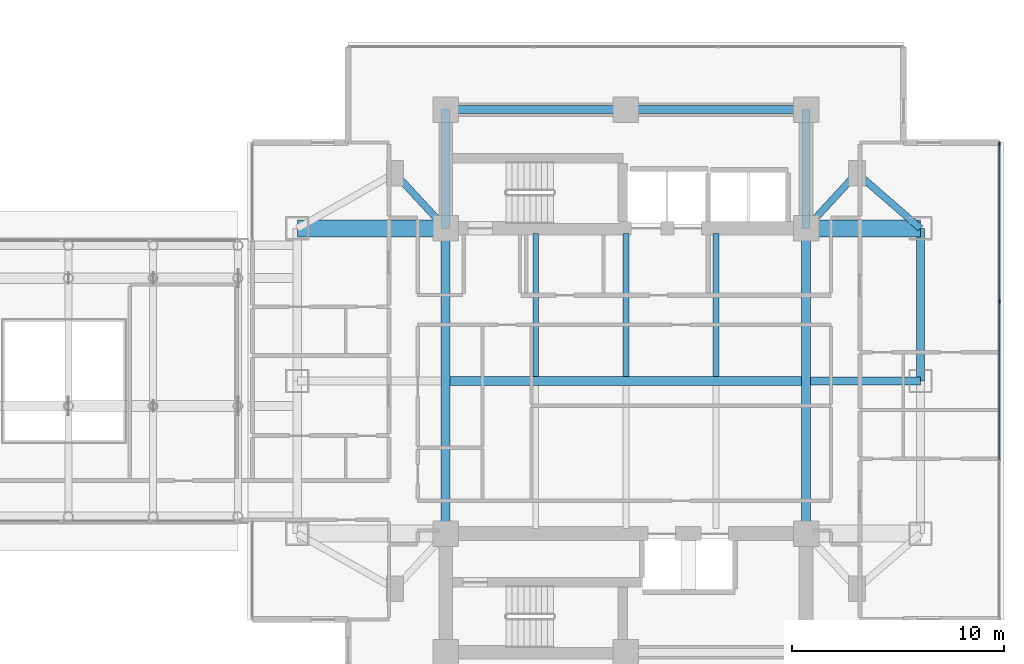
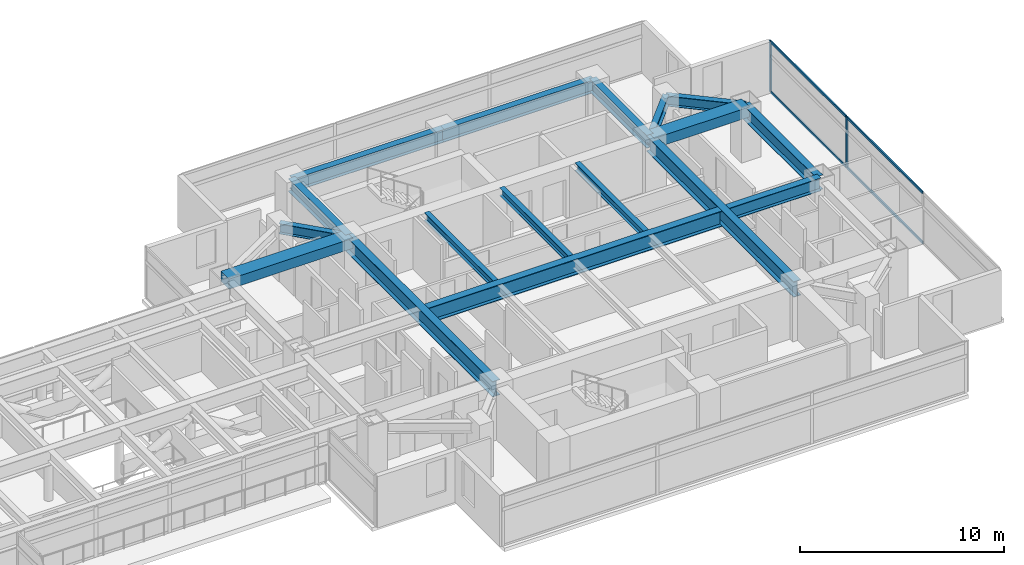
# One storey, part 10 of 27: 17 beams, 6 members, 1 element without a shape of its own.
"""IFC4 building model written with IfcOpenShell, lengths in metres."""

import ifcopenshell
import ifcopenshell.guid

model = None  # the IFC model being written
_history = None  # IfcOwnerHistory: only IFC2X3 demands one
_inside = {}  # id of a spatial element -> (the spatial element, [elements in it])
_under = {}  # id of a project, library or spatial element -> (it, [spatial elements below it])
_declared = {}  # id of a project -> (the project, [libraries it declares])
_typed = {}  # id of a type object -> (the type object, [elements of that type])
_made_of = {}  # id of a material, layer set ... -> (it, [elements and type objects made of it])


def new_model(schema):
    """Start an empty IFC model of exactly this schema.

    Asked for "IFC4X3", IfcOpenShell would pick the latest addendum, in which some entities
    have other attributes; the version numbers below select the first issue.
    IFC2X3 requires an IfcOwnerHistory on every rooted entity: one is made here for all.
    """
    global model, _history
    if schema == "IFC4X3":
        model = ifcopenshell.file(schema_version=(4, 3, 0, 0))
    else:
        model = ifcopenshell.file(schema=schema)
    _inside.clear()
    _under.clear()
    _declared.clear()
    _typed.clear()
    _made_of.clear()
    _history = None
    if model.schema == "IFC2X3":
        org = make("IfcOrganization", Name="unknown")
        user = make(
            "IfcPersonAndOrganization",
            ThePerson=make("IfcPerson", FamilyName="unknown"),
            TheOrganization=org,
        )
        app = make(
            "IfcApplication",
            ApplicationDeveloper=org,
            Version="unknown",
            ApplicationFullName="unknown",
            ApplicationIdentifier="unknown",
        )
        _history = make(
            "IfcOwnerHistory",
            OwningUser=user,
            OwningApplication=app,
            ChangeAction="ADDED",
            CreationDate=0,
        )
    return model


def make(cls, **values):
    """One entity of the class cls with the attributes given. An attribute that is None is left unset."""
    return model.create_entity(
        cls, **{name: value for name, value in values.items() if value is not None}
    )


def rooted(cls, **values):
    """An entity with a GlobalId (a new one), such as an element, a storey or a relation."""
    return make(cls, GlobalId=ifcopenshell.guid.new(), OwnerHistory=_history, **values)


def si_unit(unit_type, name, prefix=None):
    """IfcSIUnit, for example si_unit("LENGTHUNIT", "METRE", prefix="MILLI")."""
    return make("IfcSIUnit", UnitType=unit_type, Prefix=prefix, Name=name)


def assignment(units):
    """IfcUnitAssignment: the units of a project."""
    return None if units is None else make("IfcUnitAssignment", Units=units)


def point(xyz):
    """IfcCartesianPoint."""
    return None if xyz is None else make("IfcCartesianPoint", Coordinates=xyz)


def direction(xyz):
    """IfcDirection."""
    return None if xyz is None else make("IfcDirection", DirectionRatios=xyz)


def frame(location, z_axis=None, x_axis=None):
    """IfcAxis2Placement3D, a coordinate frame: its origin and axes. An axis left out is left unset."""
    return make(
        "IfcAxis2Placement3D",
        Location=point(location),
        Axis=direction(z_axis),
        RefDirection=direction(x_axis),
    )


def frame_2d(location, x_axis=None):
    """IfcAxis2Placement2D, a coordinate frame in the plane: its origin and x axis."""
    return make(
        "IfcAxis2Placement2D", Location=point(location), RefDirection=direction(x_axis)
    )


def origin():
    """The frame at (0, 0, 0) with its axes left unset."""
    return frame((0.0, 0.0, 0.0))


def origin_2d():
    """The frame at (0, 0) in the plane with its x axis left unset."""
    return frame_2d((0.0, 0.0))


def place(relative_to, where):
    """IfcLocalPlacement: puts the frame where relative to a parent placement (None: the world)."""
    return make(
        "IfcLocalPlacement", PlacementRelTo=relative_to, RelativePlacement=where
    )


def context(
    kind, dimensions, precision=None, world=None, true_north=None, identifier=None
):
    """IfcGeometricRepresentationContext, for example the 3D "Model" context."""
    return make(
        "IfcGeometricRepresentationContext",
        ContextIdentifier=identifier,
        ContextType=kind,
        CoordinateSpaceDimension=dimensions,
        Precision=precision,
        WorldCoordinateSystem=world,
        TrueNorth=true_north,
    )


def subcontext(parent, identifier, kind, view, scale=None):
    """IfcGeometricRepresentationSubContext, for example "Body" below "Model"."""
    return make(
        "IfcGeometricRepresentationSubContext",
        ContextIdentifier=identifier,
        ContextType=kind,
        ParentContext=parent,
        TargetScale=scale,
        TargetView=view,
    )


def project(units=None, contexts=None):
    """IfcProject with its units and contexts."""
    return rooted(
        "IfcProject",
        Name="project",
        RepresentationContexts=contexts,
        UnitsInContext=assignment(units),
    )


def spatial(cls, under=None, at=None, **own):
    """A site, building, storey or space (cls), placed at a placement, below another one or the project."""
    s = rooted(cls, ObjectPlacement=at, **own)
    if under is not None:
        _under.setdefault(under.id(), (under, []))[1].append(s)
    return s


def profile(cls, at=None, kind="AREA", **sizes):
    """A parametric profile (cls). Its sizes go by their IFC names, for example OverallWidth=200.0."""
    return make(cls, ProfileType=kind, Position=at, **sizes)


def rectangle(**sizes):
    """IfcRectangleProfileDef."""
    return profile("IfcRectangleProfileDef", **sizes)


def i_section(**sizes):
    """IfcIShapeProfileDef."""
    return profile("IfcIShapeProfileDef", **sizes)


def extrude(swept, where, along, depth):
    """IfcExtrudedAreaSolid: the profile swept, set in the frame where, extruded along a direction by depth."""
    return make(
        "IfcExtrudedAreaSolid",
        SweptArea=swept,
        Position=where,
        ExtrudedDirection=direction(along),
        Depth=depth,
    )


def shape(context_of_items, identifier, shape_type, items):
    """IfcShapeRepresentation: the items that make up one representation, for example the "Body"."""
    return make(
        "IfcShapeRepresentation",
        ContextOfItems=context_of_items,
        RepresentationIdentifier=identifier,
        RepresentationType=shape_type,
        Items=items,
    )


def material(Name=None, Category=None):
    """IfcMaterial."""
    return make("IfcMaterial", Name=Name, Category=Category)


def material_profile(
    of_material, cross_section, Name=None, Category=None, Priority=None
):
    """IfcMaterialProfile: a cross section and its material."""
    return make(
        "IfcMaterialProfile",
        Name=Name,
        Material=of_material,
        Profile=cross_section,
        Priority=Priority,
        Category=Category,
    )


def profile_set(profiles, Name=None, composite=None):
    """IfcMaterialProfileSet."""
    return make(
        "IfcMaterialProfileSet",
        Name=Name,
        MaterialProfiles=profiles,
        CompositeProfile=composite,
    )


def made_of(thing, what):
    """Note that an element or type object is made of a material, layer set ...; save() writes the relation."""
    if what is not None:
        _made_of.setdefault(what.id(), (what, []))[1].append(thing)
    return thing


def type_object(cls, material=None, **own):
    """A type object (cls), such as IfcWallType, which elements share."""
    return made_of(rooted(cls, **own), material)


def element(
    cls,
    number,
    at=None,
    inside=None,
    cuts=None,
    type_object=None,
    material=None,
    context=None,
    identifier="Body",
    shape_type=None,
    held_by="IfcProductDefinitionShape",
    body=None,
    shapes=None,
    **own,
):
    """One element of the class cls, such as IfcWall. Its Tag is "e" and its number.

    at: its placement. inside: the storey or other place that contains it. cuts: it is an
    opening in that element (IfcRelVoidsElement). A single representation is given by context,
    identifier, shape_type and body (its items); several are given by shapes. held_by: the class
    of the entity that holds the representations. save() writes the other relations.
    """
    e = rooted(cls, Tag="e%d" % number, ObjectPlacement=at, **own)
    if body is not None:
        shapes = [shape(context, identifier, shape_type, body)]
    if shapes is not None:
        e.Representation = make(held_by, Representations=shapes)
    if inside is not None:
        _inside.setdefault(inside.id(), (inside, []))[1].append(e)
    if cuts is not None:
        rooted(
            "IfcRelVoidsElement", RelatingBuildingElement=cuts, RelatedOpeningElement=e
        )
    if type_object is not None:
        _typed.setdefault(type_object.id(), (type_object, []))[1].append(e)
    return made_of(e, material)


def aggregate(whole, parts):
    """IfcRelAggregates: a whole, such as a stair, and the parts it consists of."""
    return rooted("IfcRelAggregates", RelatingObject=whole, RelatedObjects=parts)


def save(model, path):
    """Write the relations noted so far, then the file.

    IfcRelAggregates (storeys below a building ...), IfcRelContainedInSpatialStructure (elements
    in a storey), IfcRelDefinesByType, IfcRelAssociatesMaterial and IfcRelDeclares: one each for
    every whole, place, type object, material and project.
    """
    for whole, parts in _under.values():
        aggregate(whole, parts)
    for where, things in _inside.values():
        rooted(
            "IfcRelContainedInSpatialStructure",
            RelatedElements=things,
            RelatingStructure=where,
        )
    for kind, things in _typed.values():
        rooted("IfcRelDefinesByType", RelatedObjects=things, RelatingType=kind)
    for what, things in _made_of.values():
        rooted("IfcRelAssociatesMaterial", RelatedObjects=things, RelatingMaterial=what)
    for by, libraries in _declared.values():
        rooted("IfcRelDeclares", RelatingContext=by, RelatedDefinitions=libraries)
    model.write(path)


model = new_model("IFC4")

# Units and contexts
model_context = context("Model", 3, precision=1e-05, world=origin(), true_north=direction((0.0, 1.0)))
body_context = subcontext(model_context, "Body", "Model", "MODEL_VIEW")
ifc_project = project(units=[si_unit("LENGTHUNIT", "METRE"), si_unit("AREAUNIT", "SQUARE_METRE"), si_unit("VOLUMEUNIT", "CUBIC_METRE"), si_unit("PLANEANGLEUNIT", "RADIAN"), si_unit("MASSUNIT", "GRAM", prefix="KILO")], contexts=[model_context])

# Site, building, storey
site_placement = place(None, origin())
site = spatial("IfcSite", under=ifc_project, at=site_placement, CompositionType="ELEMENT")
building_placement = place(site_placement, origin())
building = spatial("IfcBuilding", under=site, at=building_placement, Name="Mirazonda Arch Towers", CompositionType="ELEMENT")
storey_placement = place(building_placement, frame((0.0, 0.0, 95.0)))
storey = spatial("IfcBuildingStorey", under=building, at=storey_placement, Name="L26", CompositionType="ELEMENT", Elevation=95.0)

# Beams
ifc_material_1 = material(Name="Steel ASTM A992 Grade 50", Category="steel")
ifc_material_profile_1 = material_profile(ifc_material_1, i_section(OverallWidth=0.39990234375, OverallDepth=0.85595703125, WebThickness=0.018310546875, FlangeThickness=0.029296875, at=origin_2d()), Name="W33X201")
ifc_profile_set_1 = profile_set([ifc_material_profile_1], Name="Steel ASTM A992 Grade 50")
beam_type_1 = type_object("IfcBeamType", Name="BM-EXT-W33X201", PredefinedType="USERDEFINED", material=ifc_profile_set_1)
beam_1_placement = place(storey_placement, frame((90.39990234375, 28.0, 2.652099609375), z_axis=(0.0, 1.0, 0.0), x_axis=(-1.0, 0.0, 0.0)))
element("IfcBeam", 1, at=beam_1_placement, inside=storey, type_object=beam_type_1, Name="L26 Floor Beam BM-T2-L26-NS-E-28", ObjectType="GIRDER", PredefinedType="USERDEFINED", context=body_context, shape_type="SweptSolid", body=[
    extrude(i_section(OverallWidth=0.39990234375, OverallDepth=0.85595703125, WebThickness=0.018310546875, FlangeThickness=0.029296875, at=origin_2d()), origin(), (0.0, 0.0, 1.0), 7.199951171875),
])
ifc_material_profile_2 = material_profile(ifc_material_1, i_section(OverallWidth=0.280029296875, OverallDepth=0.462890625, WebThickness=0.0107421875, FlangeThickness=0.017333984375, at=origin_2d()), Name="W18X76")
ifc_profile_set_2 = profile_set([ifc_material_profile_2], Name="Steel ASTM A992 Grade 50")
beam_type_2 = type_object("IfcBeamType", Name="BM-INT-W18X76", PredefinedType="JOIST", material=ifc_profile_set_2)
for number, where, z_axis, x_axis, name in (
    (2, (72.25, 28.205078125, 2.848388671875), (0.0, 1.0, 0.0), (-1.0, 0.0, 0.0), "L26 Floor Beam BM-T2-L26-J-722-28"),
    (3, (76.5, 28.205078125, 2.848388671875), (0.0, 1.0, 0.0), (-1.0, 0.0, 0.0), "L26 Floor Beam BM-T2-L26-J-765-28"),
    (4, (80.75, 28.205078125, 2.848388671875), (0.0, 1.0, 0.0), (-1.0, 0.0, 0.0), "L26 Floor Beam BM-T2-L26-J-807-28"),
):
    element("IfcBeam", number, at=place(storey_placement, frame(where, z_axis=z_axis, x_axis=x_axis)), inside=storey, type_object=beam_type_2, Name=name, PredefinedType="JOIST", context=body_context, shape_type="SweptSolid", body=[
        extrude(i_section(OverallWidth=0.280029296875, OverallDepth=0.462890625, WebThickness=0.0107421875, FlangeThickness=0.017333984375, at=origin_2d()), origin(), (0.0, 0.0, 1.0), 6.7548828125),
    ])
ifc_material_profile_3 = material_profile(ifc_material_1, i_section(OverallWidth=0.324951171875, OverallDepth=0.615966796875, WebThickness=0.013916015625, FlangeThickness=0.021484375, at=origin_2d()), Name="W24X117")
ifc_profile_set_3 = profile_set([ifc_material_profile_3], Name="Steel ASTM A992 Grade 50")
beam_type_3 = type_object("IfcBeamType", Name="BM-INT-W24X117", PredefinedType="BEAM", material=ifc_profile_set_3)
for number, where, z_axis, x_axis, name in (
    (5, (65.60009765625, 37.800048828125, 2.77197265625), (0.678251444854, -0.734829897019, 0.0), (0.734829897019, 0.678251444854, 0.0), "L26 Floor Beam BM-T2-L26-PL-NW1"),
    (6, (87.39990234375, 37.800048828125, 2.77197265625), (-0.678251444854, -0.734829897019, 0.0), (0.734829897019, -0.678251444854, 0.0), "L26 Floor Beam BM-T2-L26-PL-NE1"),
):
    element("IfcBeam", number, at=place(storey_placement, frame(where, z_axis=z_axis, x_axis=x_axis)), inside=storey, type_object=beam_type_3, Name=name, PredefinedType="BEAM", context=body_context, shape_type="SweptSolid", body=[
        extrude(i_section(OverallWidth=0.324951171875, OverallDepth=0.615966796875, WebThickness=0.013916015625, FlangeThickness=0.021484375, at=origin_2d()), origin(), (0.0, 0.0, 1.0), 3.538330078125),
    ])
beam_2_placement = place(storey_placement, frame((87.39990234375, 37.800048828125, 2.77197265625), z_axis=(0.755676908098, -0.654944585876, 0.0), x_axis=(0.654944585876, 0.755676908098, 0.0)))
element("IfcBeam", 7, at=beam_2_placement, inside=storey, type_object=beam_type_3, Name="L26 Floor Beam BM-T2-L26-PL-NE2", PredefinedType="BEAM", context=body_context, shape_type="SweptSolid", body=[
    extrude(i_section(OverallWidth=0.324951171875, OverallDepth=0.615966796875, WebThickness=0.013916015625, FlangeThickness=0.021484375, at=origin_2d()), origin(), (0.0, 0.0, 1.0), 3.969970703125),
])
ifc_material_profile_4 = material_profile(ifc_material_1, i_section(OverallWidth=0.381103515625, OverallDepth=0.77294921875, WebThickness=0.0166015625, FlangeThickness=0.027099609375, at=origin_2d()), Name="W30X173")
ifc_profile_set_4 = profile_set([ifc_material_profile_4], Name="Steel ASTM A992 Grade 50")
beam_type_4 = type_object("IfcBeamType", Name="BM-INT-W30X173", PredefinedType="USERDEFINED", material=ifc_profile_set_4)
for number, where, z_axis, x_axis, name in (
    (8, (68.0, 40.800048828125, 2.693603515625), (1.0, 0.0, 0.0), (0.0, 1.0, 0.0), "L26 Floor Beam BM-T2-L26-CN1"),
    (9, (76.5, 40.800048828125, 2.693603515625), (1.0, 0.0, 0.0), (0.0, 1.0, 0.0), "L26 Floor Beam BM-T2-L26-CN2"),
):
    element("IfcBeam", number, at=place(storey_placement, frame(where, z_axis=z_axis, x_axis=x_axis)), inside=storey, type_object=beam_type_4, Name=name, ObjectType="GIRDER", PredefinedType="USERDEFINED", context=body_context, shape_type="SweptSolid", body=[
        extrude(i_section(OverallWidth=0.381103515625, OverallDepth=0.77294921875, WebThickness=0.0166015625, FlangeThickness=0.027099609375, at=origin_2d()), origin(), (0.0, 0.0, 1.0), 8.5),
    ])
for number, where, z_axis, x_axis, name in (
    (10, (68.0, 35.199951171875, 2.693603515625), (0.0, 1.0, 0.0), (-1.0, 0.0, 0.0), "L26 Floor Beam BM-T2-L26-CNW"),
    (11, (85.0, 35.199951171875, 2.693603515625), (0.0, 1.0, 0.0), (-1.0, 0.0, 0.0), "L26 Floor Beam BM-T2-L26-CNE"),
):
    element("IfcBeam", number, at=place(storey_placement, frame(where, z_axis=z_axis, x_axis=x_axis)), inside=storey, type_object=beam_type_4, Name=name, ObjectType="GIRDER", PredefinedType="USERDEFINED", context=body_context, shape_type="SweptSolid", body=[
        extrude(i_section(OverallWidth=0.381103515625, OverallDepth=0.77294921875, WebThickness=0.0166015625, FlangeThickness=0.027099609375, at=origin_2d()), origin(), (0.0, 0.0, 1.0), 5.60009765625),
    ])
beam_3_placement = place(storey_placement, frame((85.208984375, 28.0, 2.693603515625), z_axis=(1.0, 0.0, 0.0), x_axis=(0.0, 1.0, 0.0)))
element("IfcBeam", 12, at=beam_3_placement, inside=storey, type_object=beam_type_4, Name="L26 Floor Beam BM-T2-L26-GE2", ObjectType="GIRDER", PredefinedType="USERDEFINED", context=body_context, shape_type="SweptSolid", body=[
    extrude(i_section(OverallWidth=0.381103515625, OverallDepth=0.77294921875, WebThickness=0.0166015625, FlangeThickness=0.027099609375, at=origin_2d()), origin(), (0.0, 0.0, 1.0), 5.19091796875),
])
ifc_material_profile_5 = material_profile(ifc_material_1, i_section(OverallWidth=0.41796875, OverallDepth=0.927001953125, WebThickness=0.019287109375, FlangeThickness=0.031982421875, at=origin_2d()), Name="W36X231")
ifc_profile_set_5 = profile_set([ifc_material_profile_5], Name="Steel ASTM A992 Grade 50")
beam_type_5 = type_object("IfcBeamType", Name="BM-INT-W36X231", PredefinedType="USERDEFINED", material=ifc_profile_set_5)
beam_4_placement = place(storey_placement, frame((68.208984375, 28.0, 2.616455078125), z_axis=(1.0, 0.0, 0.0), x_axis=(0.0, 1.0, 0.0)))
element("IfcBeam", 13, at=beam_4_placement, inside=storey, type_object=beam_type_5, Name="L26 Floor Beam BM-T2-L26-GC2", ObjectType="GIRDER", PredefinedType="USERDEFINED", context=body_context, shape_type="SweptSolid", body=[
    extrude(i_section(OverallWidth=0.41796875, OverallDepth=0.927001953125, WebThickness=0.019287109375, FlangeThickness=0.031982421875, at=origin_2d()), origin(), (0.0, 0.0, 1.0), 16.58203125),
])
for number, where, z_axis, x_axis, name in (
    (14, (68.0, 20.800048828125, 2.616455078125), (0.0, 1.0, 0.0), (-1.0, 0.0, 0.0), "L26 Floor Beam BM-T2-L26-NS-CW-FULL"),
    (15, (85.0, 20.800048828125, 2.616455078125), (0.0, 1.0, 0.0), (-1.0, 0.0, 0.0), "L26 Floor Beam BM-T2-L26-NS-CE-FULL"),
):
    element("IfcBeam", number, at=place(storey_placement, frame(where, z_axis=z_axis, x_axis=x_axis)), inside=storey, type_object=beam_type_5, Name=name, ObjectType="GIRDER", PredefinedType="USERDEFINED", context=body_context, shape_type="SweptSolid", body=[
        extrude(i_section(OverallWidth=0.41796875, OverallDepth=0.927001953125, WebThickness=0.019287109375, FlangeThickness=0.031982421875, at=origin_2d()), origin(), (0.0, 0.0, 1.0), 14.39990234375),
    ])
ifc_material_2 = material(Name="Concrete C60/75", Category="concrete")
ifc_material_profile_6 = material_profile(ifc_material_2, rectangle(XDim=0.800048828125, YDim=0.60009765625, at=origin_2d()), Name="RCCB800x600")
ifc_profile_set_6 = profile_set([ifc_material_profile_6], Name="Concrete C60/75")
beam_type_6 = type_object("IfcBeamType", Name="CB-INT-RCCB800x600", PredefinedType="SPANDREL", material=ifc_profile_set_6)
beam_5_placement = place(storey_placement, frame((61.0, 35.199951171875, 2.780029296875), z_axis=(1.0, 0.0, 0.0), x_axis=(0.0, 1.0, 0.0)))
element("IfcBeam", 16, at=beam_5_placement, inside=storey, type_object=beam_type_6, Name="L26 Floor Beam CBC-T2-L26-NW", PredefinedType="SPANDREL", context=body_context, shape_type="SweptSolid", body=[
    extrude(rectangle(XDim=0.800048828125, YDim=0.60009765625, at=origin_2d()), origin(), (0.0, 0.0, 1.0), 7.0),
])
beam_6_placement = place(storey_placement, frame((85.0, 35.199951171875, 2.780029296875), z_axis=(1.0, 0.0, 0.0), x_axis=(0.0, 1.0, 0.0)))
element("IfcBeam", 17, at=beam_6_placement, inside=storey, type_object=beam_type_6, Name="L26 Floor Beam CBC-T2-L26-NE", PredefinedType="SPANDREL", context=body_context, shape_type="SweptSolid", body=[
    extrude(rectangle(XDim=0.800048828125, YDim=0.60009765625, at=origin_2d()), origin(), (0.0, 0.0, 1.0), 5.39990234375),
])

# Curtain wall, members
ifc_material_3 = material(Name="Anodised Aluminium and Low-E Glass", Category="aluminium")
curtain_wall_type = type_object("IfcCurtainWallType", Name="CW-HTL-UNIT", PredefinedType="NOTDEFINED", material=ifc_material_3)
curtain_wall_placement = place(storey_placement, origin())
curtain_wall = element("IfcCurtainWall", 18, at=curtain_wall_placement, inside=storey, type_object=curtain_wall_type, Name="L26 T2 E Facade CW-L26-T2-E", PredefinedType="NOTDEFINED")
ifc_material_4 = material(Name="Anodised Aluminium Alloy", Category="aluminium")
ifc_material_profile_7 = material_profile(ifc_material_4, rectangle(XDim=0.074951171875, YDim=0.1650390625, at=origin_2d()), Name="ALU-MULL-75x165")
ifc_profile_set_7 = profile_set([ifc_material_profile_7], Name="Anodised Aluminium Alloy")
member_type_1 = type_object("IfcMemberType", Name="MULL-CW-HTL-UNIT", PredefinedType="MULLION", material=ifc_profile_set_7)
member_1_placement = place(storey_placement, frame((94.118408203125, 31.749267578125, 0.0), z_axis=(0.0, 0.0, 1.0), x_axis=(-1.0, 0.0, 0.0)))
member_1 = element("IfcMember", 19, at=member_1_placement, type_object=member_type_1, Name="CW-112 mullion 3", PredefinedType="MULLION", context=body_context, shape_type="SweptSolid", body=[
    extrude(rectangle(XDim=0.074951171875, YDim=0.1650390625, at=origin_2d()), origin(), (0.0, 0.0, 1.0), 3.06005859375),
])
member_2_placement = place(storey_placement, frame((94.118408203125, 39.210205078125, 0.0), z_axis=(0.0, 0.0, 1.0), x_axis=(-1.0, 0.0, 0.0)))
member_2 = element("IfcMember", 20, at=member_2_placement, type_object=member_type_1, Name="CW-112 mullion 4", PredefinedType="MULLION", context=body_context, shape_type="SweptSolid", body=[
    extrude(rectangle(XDim=0.074951171875, YDim=0.1650390625, at=origin_2d()), origin(), (0.0, 0.0, 1.0), 3.06005859375),
])
ifc_material_profile_8 = material_profile(ifc_material_4, rectangle(XDim=0.074951171875, YDim=0.14501953125, at=origin_2d()), Name="ALU-TRAN-75x145")
ifc_profile_set_8 = profile_set([ifc_material_profile_8], Name="Anodised Aluminium Alloy")
member_type_2 = type_object("IfcMemberType", Name="TRAN-CW-HTL-UNIT", PredefinedType="USERDEFINED", material=ifc_profile_set_8)
member_3_placement = place(storey_placement, frame((94.118408203125, 24.288330078125, 0.03759765625), z_axis=(0.0, 1.0, 0.0), x_axis=(-1.0, 0.0, 0.0)))
member_3 = element("IfcMember", 21, at=member_3_placement, type_object=member_type_2, Name="CW-112 transom 2.1", ObjectType="TRANSOM", PredefinedType="USERDEFINED", context=body_context, shape_type="SweptSolid", body=[
    extrude(rectangle(XDim=0.074951171875, YDim=0.14501953125, at=origin_2d()), origin(), (0.0, 0.0, 1.0), 7.42333984375),
])
member_4_placement = place(storey_placement, frame((94.118408203125, 24.288330078125, 3.0224609375), z_axis=(0.0, 1.0, 0.0), x_axis=(-1.0, 0.0, 0.0)))
member_4 = element("IfcMember", 22, at=member_4_placement, type_object=member_type_2, Name="CW-112 transom 2.2", ObjectType="TRANSOM", PredefinedType="USERDEFINED", context=body_context, shape_type="SweptSolid", body=[
    extrude(rectangle(XDim=0.074951171875, YDim=0.14501953125, at=origin_2d()), origin(), (0.0, 0.0, 1.0), 7.42333984375),
])
member_5_placement = place(storey_placement, frame((94.118408203125, 31.786865234375, 0.03759765625), z_axis=(0.0, 1.0, 0.0), x_axis=(-1.0, 0.0, 0.0)))
member_5 = element("IfcMember", 23, at=member_5_placement, type_object=member_type_2, Name="CW-112 transom 3.1", ObjectType="TRANSOM", PredefinedType="USERDEFINED", context=body_context, shape_type="SweptSolid", body=[
    extrude(rectangle(XDim=0.074951171875, YDim=0.14501953125, at=origin_2d()), origin(), (0.0, 0.0, 1.0), 7.385986328125),
])
member_6_placement = place(storey_placement, frame((94.118408203125, 31.786865234375, 3.0224609375), z_axis=(0.0, 1.0, 0.0), x_axis=(-1.0, 0.0, 0.0)))
member_6 = element("IfcMember", 24, at=member_6_placement, type_object=member_type_2, Name="CW-112 transom 3.2", ObjectType="TRANSOM", PredefinedType="USERDEFINED", context=body_context, shape_type="SweptSolid", body=[
    extrude(rectangle(XDim=0.074951171875, YDim=0.14501953125, at=origin_2d()), origin(), (0.0, 0.0, 1.0), 7.385986328125),
])
aggregate(curtain_wall, [member_1, member_2, member_3, member_4, member_5, member_6])

save(model, "model.ifc")
